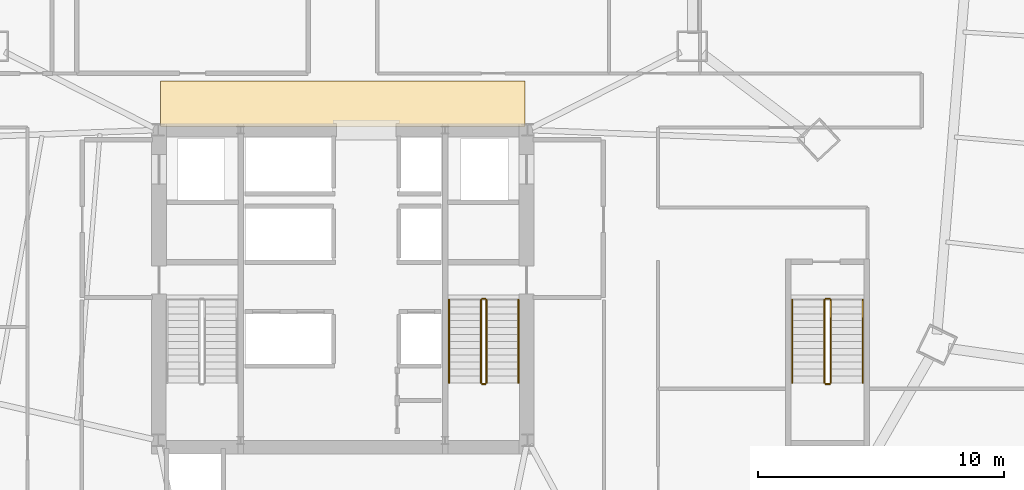
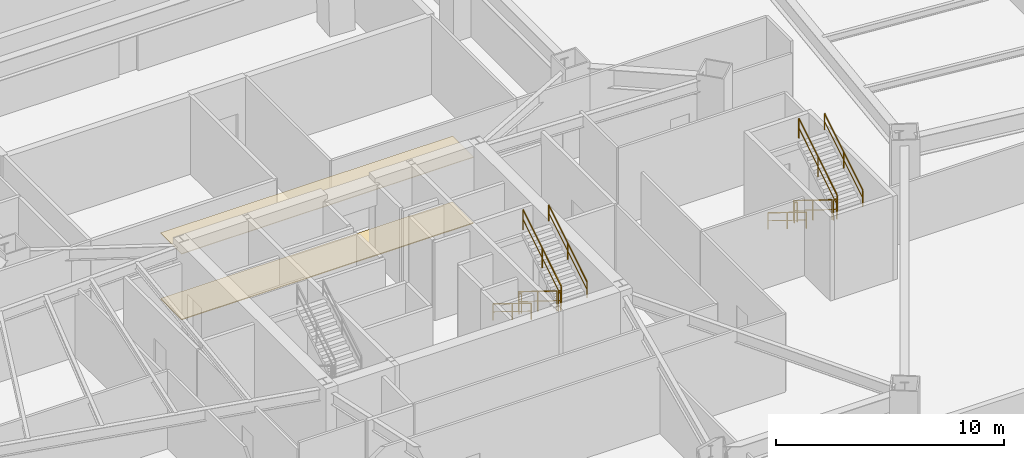
# One storey, part 12 of 13: 12 railings, 2 coverings.
"""IFC4 building model written with IfcOpenShell, lengths in metres."""

import ifcopenshell
import ifcopenshell.guid

model = None  # the IFC model being written
_history = None  # IfcOwnerHistory: only IFC2X3 demands one
_inside = {}  # id of a spatial element -> (the spatial element, [elements in it])
_under = {}  # id of a project, library or spatial element -> (it, [spatial elements below it])
_declared = {}  # id of a project -> (the project, [libraries it declares])
_typed = {}  # id of a type object -> (the type object, [elements of that type])
_made_of = {}  # id of a material, layer set ... -> (it, [elements and type objects made of it])


def new_model(schema):
    """Start an empty IFC model of exactly this schema.

    Asked for "IFC4X3", IfcOpenShell would pick the latest addendum, in which some entities
    have other attributes; the version numbers below select the first issue.
    IFC2X3 requires an IfcOwnerHistory on every rooted entity: one is made here for all.
    """
    global model, _history
    if schema == "IFC4X3":
        model = ifcopenshell.file(schema_version=(4, 3, 0, 0))
    else:
        model = ifcopenshell.file(schema=schema)
    _inside.clear()
    _under.clear()
    _declared.clear()
    _typed.clear()
    _made_of.clear()
    _history = None
    if model.schema == "IFC2X3":
        org = make("IfcOrganization", Name="unknown")
        user = make(
            "IfcPersonAndOrganization",
            ThePerson=make("IfcPerson", FamilyName="unknown"),
            TheOrganization=org,
        )
        app = make(
            "IfcApplication",
            ApplicationDeveloper=org,
            Version="unknown",
            ApplicationFullName="unknown",
            ApplicationIdentifier="unknown",
        )
        _history = make(
            "IfcOwnerHistory",
            OwningUser=user,
            OwningApplication=app,
            ChangeAction="ADDED",
            CreationDate=0,
        )
    return model


def make(cls, **values):
    """One entity of the class cls with the attributes given. An attribute that is None is left unset."""
    return model.create_entity(
        cls, **{name: value for name, value in values.items() if value is not None}
    )


def rooted(cls, **values):
    """An entity with a GlobalId (a new one), such as an element, a storey or a relation."""
    return make(cls, GlobalId=ifcopenshell.guid.new(), OwnerHistory=_history, **values)


def si_unit(unit_type, name, prefix=None):
    """IfcSIUnit, for example si_unit("LENGTHUNIT", "METRE", prefix="MILLI")."""
    return make("IfcSIUnit", UnitType=unit_type, Prefix=prefix, Name=name)


def assignment(units):
    """IfcUnitAssignment: the units of a project."""
    return None if units is None else make("IfcUnitAssignment", Units=units)


def point(xyz):
    """IfcCartesianPoint."""
    return None if xyz is None else make("IfcCartesianPoint", Coordinates=xyz)


def direction(xyz):
    """IfcDirection."""
    return None if xyz is None else make("IfcDirection", DirectionRatios=xyz)


def frame(location, z_axis=None, x_axis=None):
    """IfcAxis2Placement3D, a coordinate frame: its origin and axes. An axis left out is left unset."""
    return make(
        "IfcAxis2Placement3D",
        Location=point(location),
        Axis=direction(z_axis),
        RefDirection=direction(x_axis),
    )


def frame_2d(location, x_axis=None):
    """IfcAxis2Placement2D, a coordinate frame in the plane: its origin and x axis."""
    return make(
        "IfcAxis2Placement2D", Location=point(location), RefDirection=direction(x_axis)
    )


def origin():
    """The frame at (0, 0, 0) with its axes left unset."""
    return frame((0.0, 0.0, 0.0))


def origin_2d():
    """The frame at (0, 0) in the plane with its x axis left unset."""
    return frame_2d((0.0, 0.0))


def place(relative_to, where):
    """IfcLocalPlacement: puts the frame where relative to a parent placement (None: the world)."""
    return make(
        "IfcLocalPlacement", PlacementRelTo=relative_to, RelativePlacement=where
    )


def context(
    kind, dimensions, precision=None, world=None, true_north=None, identifier=None
):
    """IfcGeometricRepresentationContext, for example the 3D "Model" context."""
    return make(
        "IfcGeometricRepresentationContext",
        ContextIdentifier=identifier,
        ContextType=kind,
        CoordinateSpaceDimension=dimensions,
        Precision=precision,
        WorldCoordinateSystem=world,
        TrueNorth=true_north,
    )


def subcontext(parent, identifier, kind, view, scale=None):
    """IfcGeometricRepresentationSubContext, for example "Body" below "Model"."""
    return make(
        "IfcGeometricRepresentationSubContext",
        ContextIdentifier=identifier,
        ContextType=kind,
        ParentContext=parent,
        TargetScale=scale,
        TargetView=view,
    )


def project(units=None, contexts=None):
    """IfcProject with its units and contexts."""
    return rooted(
        "IfcProject",
        Name="project",
        RepresentationContexts=contexts,
        UnitsInContext=assignment(units),
    )


def spatial(cls, under=None, at=None, **own):
    """A site, building, storey or space (cls), placed at a placement, below another one or the project."""
    s = rooted(cls, ObjectPlacement=at, **own)
    if under is not None:
        _under.setdefault(under.id(), (under, []))[1].append(s)
    return s


def polyline(points):
    """IfcPolyline through the points."""
    return make("IfcPolyline", Points=[point(p) for p in points])


def profile(cls, at=None, kind="AREA", **sizes):
    """A parametric profile (cls). Its sizes go by their IFC names, for example OverallWidth=200.0."""
    return make(cls, ProfileType=kind, Position=at, **sizes)


def rectangle(**sizes):
    """IfcRectangleProfileDef."""
    return profile("IfcRectangleProfileDef", **sizes)


def outline(outer, holes=None, kind="AREA"):
    """IfcArbitraryClosedProfileDef: a profile drawn as a closed curve; with holes, ...WithVoids."""
    if holes is None:
        return make("IfcArbitraryClosedProfileDef", ProfileType=kind, OuterCurve=outer)
    return make(
        "IfcArbitraryProfileDefWithVoids",
        ProfileType=kind,
        OuterCurve=outer,
        InnerCurves=holes,
    )


def extrude(swept, where, along, depth):
    """IfcExtrudedAreaSolid: the profile swept, set in the frame where, extruded along a direction by depth."""
    return make(
        "IfcExtrudedAreaSolid",
        SweptArea=swept,
        Position=where,
        ExtrudedDirection=direction(along),
        Depth=depth,
    )


def shape(context_of_items, identifier, shape_type, items):
    """IfcShapeRepresentation: the items that make up one representation, for example the "Body"."""
    return make(
        "IfcShapeRepresentation",
        ContextOfItems=context_of_items,
        RepresentationIdentifier=identifier,
        RepresentationType=shape_type,
        Items=items,
    )


def material(Name=None, Category=None):
    """IfcMaterial."""
    return make("IfcMaterial", Name=Name, Category=Category)


def layer(
    of_material, thickness, ventilated=None, Name=None, Category=None, Priority=None
):
    """IfcMaterialLayer: one layer of a wall or slab, of a material (None: an air gap)."""
    return make(
        "IfcMaterialLayer",
        Material=of_material,
        LayerThickness=thickness,
        IsVentilated=ventilated,
        Name=Name,
        Category=Category,
        Priority=Priority,
    )


def layer_set(layers, Name=None):
    """IfcMaterialLayerSet."""
    return make("IfcMaterialLayerSet", MaterialLayers=layers, LayerSetName=Name)


def made_of(thing, what):
    """Note that an element or type object is made of a material, layer set ...; save() writes the relation."""
    if what is not None:
        _made_of.setdefault(what.id(), (what, []))[1].append(thing)
    return thing


def type_object(cls, material=None, **own):
    """A type object (cls), such as IfcWallType, which elements share."""
    return made_of(rooted(cls, **own), material)


def element(
    cls,
    number,
    at=None,
    inside=None,
    cuts=None,
    type_object=None,
    material=None,
    context=None,
    identifier="Body",
    shape_type=None,
    held_by="IfcProductDefinitionShape",
    body=None,
    shapes=None,
    **own,
):
    """One element of the class cls, such as IfcWall. Its Tag is "e" and its number.

    at: its placement. inside: the storey or other place that contains it. cuts: it is an
    opening in that element (IfcRelVoidsElement). A single representation is given by context,
    identifier, shape_type and body (its items); several are given by shapes. held_by: the class
    of the entity that holds the representations. save() writes the other relations.
    """
    e = rooted(cls, Tag="e%d" % number, ObjectPlacement=at, **own)
    if body is not None:
        shapes = [shape(context, identifier, shape_type, body)]
    if shapes is not None:
        e.Representation = make(held_by, Representations=shapes)
    if inside is not None:
        _inside.setdefault(inside.id(), (inside, []))[1].append(e)
    if cuts is not None:
        rooted(
            "IfcRelVoidsElement", RelatingBuildingElement=cuts, RelatedOpeningElement=e
        )
    if type_object is not None:
        _typed.setdefault(type_object.id(), (type_object, []))[1].append(e)
    return made_of(e, material)


def aggregate(whole, parts):
    """IfcRelAggregates: a whole, such as a stair, and the parts it consists of."""
    return rooted("IfcRelAggregates", RelatingObject=whole, RelatedObjects=parts)


def save(model, path):
    """Write the relations noted so far, then the file.

    IfcRelAggregates (storeys below a building ...), IfcRelContainedInSpatialStructure (elements
    in a storey), IfcRelDefinesByType, IfcRelAssociatesMaterial and IfcRelDeclares: one each for
    every whole, place, type object, material and project.
    """
    for whole, parts in _under.values():
        aggregate(whole, parts)
    for where, things in _inside.values():
        rooted(
            "IfcRelContainedInSpatialStructure",
            RelatedElements=things,
            RelatingStructure=where,
        )
    for kind, things in _typed.values():
        rooted("IfcRelDefinesByType", RelatedObjects=things, RelatingType=kind)
    for what, things in _made_of.values():
        rooted("IfcRelAssociatesMaterial", RelatedObjects=things, RelatingMaterial=what)
    for by, libraries in _declared.values():
        rooted("IfcRelDeclares", RelatingContext=by, RelatedDefinitions=libraries)
    model.write(path)


model = new_model("IFC4")

# Units and contexts
model_context = context("Model", 3, precision=1e-05, world=origin(), true_north=direction((0.0, 1.0)))
body_context = subcontext(model_context, "Body", "Model", "MODEL_VIEW")
ifc_project = project(units=[si_unit("LENGTHUNIT", "METRE"), si_unit("AREAUNIT", "SQUARE_METRE"), si_unit("VOLUMEUNIT", "CUBIC_METRE"), si_unit("PLANEANGLEUNIT", "RADIAN"), si_unit("MASSUNIT", "GRAM", prefix="KILO")], contexts=[model_context])

# Site, building, storey
site_placement = place(None, origin())
site = spatial("IfcSite", under=ifc_project, at=site_placement, CompositionType="ELEMENT")
building_placement = place(site_placement, origin())
building = spatial("IfcBuilding", under=site, at=building_placement, Name="Caelisora Broadcast Tower", CompositionType="ELEMENT")
storey_placement = place(building_placement, frame((0.0, 0.0, 10.199951171875)))
storey = spatial("IfcBuildingStorey", under=building, at=storey_placement, Name="L02", CompositionType="ELEMENT", Elevation=10.199951171875)

# Coverings
ifc_material_1 = material(Name="Perforated Mineral-Fibre Acoustic Ceiling Tile", Category="gypsum")
ifc_layer_1 = layer(ifc_material_1, 0.034912109375, Name="Perforated Mineral-Fibre Acoustic Ceiling Tile")
ifc_layer_set_1 = layer_set([ifc_layer_1], Name="Perforated Mineral-Fibre Acoustic Ceiling Tile")
covering_type_1 = type_object("IfcCoveringType", Name="CE-1", PredefinedType="CEILING", material=ifc_layer_set_1)
covering_1_placement = place(storey_placement, frame((0.0, 0.0, 3.530029296875)))
element("IfcCovering", 1, at=covering_1_placement, inside=storey, type_object=covering_type_1, Name="L02 acoustic corridor ceiling CE-1 (N)", PredefinedType="CEILING", context=body_context, shape_type="SweptSolid", body=[
    extrude(outline(polyline([(30.60009765625, 30.14990234375), (45.39990234375, 30.14990234375), (45.39990234375, 32.0), (30.60009765625, 32.0), (30.60009765625, 30.14990234375)])), origin(), (0.0, 0.0, 1.0), 0.034912109375),
])
ifc_material_2 = material(Name="Anti-Static Broadcast Raised Access Floor Panel", Category="steel")
ifc_layer_2 = layer(ifc_material_2, 0.044921875, Name="Anti-Static Broadcast Raised Access Floor Panel")
ifc_layer_set_2 = layer_set([ifc_layer_2], Name="Anti-Static Broadcast Raised Access Floor Panel")
covering_type_2 = type_object("IfcCoveringType", Name="FL-1", PredefinedType="FLOORING", material=ifc_layer_set_2)
covering_2_placement = place(storey_placement, origin())
element("IfcCovering", 2, at=covering_2_placement, inside=storey, type_object=covering_type_2, Name="L02 broadcast raised access floor FL-1 (N)", PredefinedType="FLOORING", context=body_context, shape_type="SweptSolid", body=[
    extrude(outline(polyline([(30.60009765625, 30.14990234375), (45.39990234375, 30.14990234375), (45.39990234375, 32.0), (30.60009765625, 32.0), (30.60009765625, 30.14990234375)])), origin(), (0.0, 0.0, 1.0), 0.045166015625),
])

# Railings
ifc_material_3 = material(Name="Galvanised Steel Safety Guardrail", Category="steel")
ifc_layer_3 = layer(ifc_material_3, 0.048095703125, Name="Galvanised Steel Safety Guardrail")
ifc_layer_set_3 = layer_set([ifc_layer_3], Name="Galvanised Steel Safety Guardrail")
railing_type_1 = type_object("IfcRailingType", Name="GR-1", PredefinedType="GUARDRAIL", material=ifc_layer_set_3)
railing_1_placement = place(storey_placement, frame((43.610107421875, 23.10009765625, 0.173095703125)))
element("IfcRailing", 3, at=railing_1_placement, inside=storey, type_object=railing_type_1, Name="L02 ST-2 stair guard 1", PredefinedType="GUARDRAIL", context=body_context, shape_type="SweptSolid", body=[
    extrude(rectangle(XDim=0.048095703125, YDim=0.048095703125, at=origin_2d()), frame((0.0, 0.0, 1.076171875), z_axis=(0.0, -0.850623216509, 0.525775754039), x_axis=(1.0, 0.0, 0.0)), (0.0, 0.0, 1.0), 3.9501953125),
    extrude(rectangle(XDim=0.03125, YDim=0.03125, at=origin_2d()), frame((0.0, 0.0, 0.550048828125), z_axis=(0.0, -0.850623216509, 0.525775754039), x_axis=(1.0, 0.0, 0.0)), (0.0, 0.0, 1.0), 3.9501953125),
    extrude(rectangle(XDim=0.0419921875, YDim=0.0419921875, at=origin_2d()), origin(), (0.0, 0.0, 1.0), 1.052001953125),
    extrude(rectangle(XDim=0.0419921875, YDim=0.0419921875, at=origin_2d()), frame((0.0, -1.68017578125, 1.03857421875)), (0.0, 0.0, 1.0), 1.052001953125),
    extrude(rectangle(XDim=0.0419921875, YDim=0.0419921875, at=origin_2d()), frame((0.0, -3.360107421875, 2.076904296875)), (0.0, 0.0, 1.0), 1.052001953125),
])
railing_2_placement = place(storey_placement, frame((43.659912109375, 19.68994140625, 2.25)))
element("IfcRailing", 4, at=railing_2_placement, inside=storey, type_object=railing_type_1, Name="L02 ST-2 stair guard 2", PredefinedType="GUARDRAIL", context=body_context, shape_type="SweptSolid", body=[
    extrude(rectangle(XDim=0.048095703125, YDim=0.048095703125, at=origin_2d()), frame((0.0, 0.0, 1.076171875), z_axis=(1.0, 0.0, 0.0), x_axis=(0.0, 1.0, 0.0)), (0.0, 0.0, 1.0), 0.1201171875),
    extrude(rectangle(XDim=0.03125, YDim=0.03125, at=origin_2d()), frame((0.0, 0.0, 0.550048828125), z_axis=(1.0, 0.0, 0.0), x_axis=(0.0, 1.0, 0.0)), (0.0, 0.0, 1.0), 0.1201171875),
    extrude(rectangle(XDim=0.0419921875, YDim=0.0419921875, at=origin_2d()), origin(), (0.0, 0.0, 1.0), 1.052001953125),
    extrude(rectangle(XDim=0.0419921875, YDim=0.0419921875, at=origin_2d()), frame((0.1201171875, 0.0, 0.0)), (0.0, 0.0, 1.0), 1.052001953125),
])
railing_3_placement = place(storey_placement, frame((43.830078125, 19.739990234375, 2.423095703125)))
element("IfcRailing", 5, at=railing_3_placement, inside=storey, type_object=railing_type_1, Name="L02 ST-2 stair guard 3", PredefinedType="GUARDRAIL", context=body_context, shape_type="SweptSolid", body=[
    extrude(rectangle(XDim=0.048095703125, YDim=0.048095703125, at=origin_2d()), frame((0.0, 0.0, 1.076171875), z_axis=(0.0, 0.850623216509, 0.525775754039), x_axis=(-1.0, 0.0, 0.0)), (0.0, 0.0, 1.0), 3.9501953125),
    extrude(rectangle(XDim=0.03125, YDim=0.03125, at=origin_2d()), frame((0.0, 0.0, 0.550048828125), z_axis=(0.0, 0.850623216509, 0.525775754039), x_axis=(-1.0, 0.0, 0.0)), (0.0, 0.0, 1.0), 3.9501953125),
    extrude(rectangle(XDim=0.0419921875, YDim=0.0419921875, at=origin_2d()), origin(), (0.0, 0.0, 1.0), 1.052001953125),
    extrude(rectangle(XDim=0.0419921875, YDim=0.0419921875, at=origin_2d()), frame((0.0, 1.68017578125, 1.03857421875)), (0.0, 0.0, 1.0), 1.052001953125),
    extrude(rectangle(XDim=0.0419921875, YDim=0.0419921875, at=origin_2d()), frame((0.0, 3.360107421875, 2.076904296875)), (0.0, 0.0, 1.0), 1.052001953125),
])
railing_4_placement = place(storey_placement, frame((43.659912109375, 23.14990234375, 0.0)))
element("IfcRailing", 6, at=railing_4_placement, inside=storey, type_object=railing_type_1, Name="L02 ST-2 stair guard 4", PredefinedType="GUARDRAIL", context=body_context, shape_type="SweptSolid", body=[
    extrude(rectangle(XDim=0.048095703125, YDim=0.048095703125, at=origin_2d()), frame((0.0, 0.0, 1.076171875), z_axis=(1.0, 0.0, 0.0), x_axis=(0.0, 1.0, 0.0)), (0.0, 0.0, 1.0), 0.1201171875),
    extrude(rectangle(XDim=0.03125, YDim=0.03125, at=origin_2d()), frame((0.0, 0.0, 0.550048828125), z_axis=(1.0, 0.0, 0.0), x_axis=(0.0, 1.0, 0.0)), (0.0, 0.0, 1.0), 0.1201171875),
    extrude(rectangle(XDim=0.0419921875, YDim=0.0419921875, at=origin_2d()), origin(), (0.0, 0.0, 1.0), 1.052001953125),
    extrude(rectangle(XDim=0.0419921875, YDim=0.0419921875, at=origin_2d()), frame((0.1201171875, 0.0, 0.0)), (0.0, 0.0, 1.0), 1.052001953125),
])
railing_5_placement = place(storey_placement, frame((57.550048828125, 23.10009765625, 0.173095703125)))
element("IfcRailing", 7, at=railing_5_placement, inside=storey, type_object=railing_type_1, Name="L02 ST-3 stair guard 1", PredefinedType="GUARDRAIL", context=body_context, shape_type="SweptSolid", body=[
    extrude(rectangle(XDim=0.048095703125, YDim=0.048095703125, at=origin_2d()), frame((0.0, 0.0, 1.076171875), z_axis=(0.0, -0.850623216509, 0.525775754039), x_axis=(1.0, 0.0, 0.0)), (0.0, 0.0, 1.0), 3.9501953125),
    extrude(rectangle(XDim=0.03125, YDim=0.03125, at=origin_2d()), frame((0.0, 0.0, 0.550048828125), z_axis=(0.0, -0.850623216509, 0.525775754039), x_axis=(1.0, 0.0, 0.0)), (0.0, 0.0, 1.0), 3.9501953125),
    extrude(rectangle(XDim=0.0419921875, YDim=0.0419921875, at=origin_2d()), origin(), (0.0, 0.0, 1.0), 1.052001953125),
    extrude(rectangle(XDim=0.0419921875, YDim=0.0419921875, at=origin_2d()), frame((0.0, -1.68017578125, 1.03857421875)), (0.0, 0.0, 1.0), 1.052001953125),
    extrude(rectangle(XDim=0.0419921875, YDim=0.0419921875, at=origin_2d()), frame((0.0, -3.360107421875, 2.076904296875)), (0.0, 0.0, 1.0), 1.052001953125),
])
railing_6_placement = place(storey_placement, frame((57.60009765625, 19.68994140625, 2.25)))
element("IfcRailing", 8, at=railing_6_placement, inside=storey, type_object=railing_type_1, Name="L02 ST-3 stair guard 2", PredefinedType="GUARDRAIL", context=body_context, shape_type="SweptSolid", body=[
    extrude(rectangle(XDim=0.048095703125, YDim=0.048095703125, at=origin_2d()), frame((0.0, 0.0, 1.076171875), z_axis=(1.0, 0.0, 0.0), x_axis=(0.0, 1.0, 0.0)), (0.0, 0.0, 1.0), 0.159912109375),
    extrude(rectangle(XDim=0.03125, YDim=0.03125, at=origin_2d()), frame((0.0, 0.0, 0.550048828125), z_axis=(1.0, 0.0, 0.0), x_axis=(0.0, 1.0, 0.0)), (0.0, 0.0, 1.0), 0.159912109375),
    extrude(rectangle(XDim=0.0419921875, YDim=0.0419921875, at=origin_2d()), origin(), (0.0, 0.0, 1.0), 1.052001953125),
    extrude(rectangle(XDim=0.0419921875, YDim=0.0419921875, at=origin_2d()), frame((0.159912109375, 0.0, 0.0)), (0.0, 0.0, 1.0), 1.052001953125),
])
railing_7_placement = place(storey_placement, frame((57.81005859375, 19.739990234375, 2.423095703125)))
element("IfcRailing", 9, at=railing_7_placement, inside=storey, type_object=railing_type_1, Name="L02 ST-3 stair guard 3", PredefinedType="GUARDRAIL", context=body_context, shape_type="SweptSolid", body=[
    extrude(rectangle(XDim=0.048095703125, YDim=0.048095703125, at=origin_2d()), frame((0.0, 0.0, 1.076171875), z_axis=(0.0, 0.850623216509, 0.525775754039), x_axis=(-1.0, 0.0, 0.0)), (0.0, 0.0, 1.0), 3.9501953125),
    extrude(rectangle(XDim=0.03125, YDim=0.03125, at=origin_2d()), frame((0.0, 0.0, 0.550048828125), z_axis=(0.0, 0.850623216509, 0.525775754039), x_axis=(-1.0, 0.0, 0.0)), (0.0, 0.0, 1.0), 3.9501953125),
    extrude(rectangle(XDim=0.0419921875, YDim=0.0419921875, at=origin_2d()), origin(), (0.0, 0.0, 1.0), 1.052001953125),
    extrude(rectangle(XDim=0.0419921875, YDim=0.0419921875, at=origin_2d()), frame((0.0, 1.68017578125, 1.03857421875)), (0.0, 0.0, 1.0), 1.052001953125),
    extrude(rectangle(XDim=0.0419921875, YDim=0.0419921875, at=origin_2d()), frame((0.0, 3.360107421875, 2.076904296875)), (0.0, 0.0, 1.0), 1.052001953125),
])
railing_8_placement = place(storey_placement, frame((57.60009765625, 23.14990234375, 0.0)))
element("IfcRailing", 10, at=railing_8_placement, inside=storey, type_object=railing_type_1, Name="L02 ST-3 stair guard 4", PredefinedType="GUARDRAIL", context=body_context, shape_type="SweptSolid", body=[
    extrude(rectangle(XDim=0.048095703125, YDim=0.048095703125, at=origin_2d()), frame((0.0, 0.0, 1.076171875), z_axis=(1.0, 0.0, 0.0), x_axis=(0.0, 1.0, 0.0)), (0.0, 0.0, 1.0), 0.159912109375),
    extrude(rectangle(XDim=0.03125, YDim=0.03125, at=origin_2d()), frame((0.0, 0.0, 0.550048828125), z_axis=(1.0, 0.0, 0.0), x_axis=(0.0, 1.0, 0.0)), (0.0, 0.0, 1.0), 0.159912109375),
    extrude(rectangle(XDim=0.0419921875, YDim=0.0419921875, at=origin_2d()), origin(), (0.0, 0.0, 1.0), 1.052001953125),
    extrude(rectangle(XDim=0.0419921875, YDim=0.0419921875, at=origin_2d()), frame((0.159912109375, 0.0, 0.0)), (0.0, 0.0, 1.0), 1.052001953125),
])
ifc_material_4 = material(Name="Stainless Steel Grade 316 Tubular Handrail", Category="steel")
ifc_layer_4 = layer(ifc_material_4, 0.048095703125, Name="Stainless Steel Grade 316 Tubular Handrail")
ifc_layer_set_4 = layer_set([ifc_layer_4], Name="Stainless Steel Grade 316 Tubular Handrail")
railing_type_2 = type_object("IfcRailingType", Name="HR-1", PredefinedType="HANDRAIL", material=ifc_layer_set_4)
railing_9_placement = place(storey_placement, frame((42.31005859375, 23.10009765625, 0.173095703125)))
element("IfcRailing", 11, at=railing_9_placement, inside=storey, type_object=railing_type_2, Name="L02 ST-2 stair handrail 1", PredefinedType="HANDRAIL", context=body_context, shape_type="SweptSolid", body=[
    extrude(rectangle(XDim=0.048095703125, YDim=0.048095703125, at=origin_2d()), frame((0.0, 0.0, 0.8759765625), z_axis=(0.0, -0.850623216509, 0.525775754039), x_axis=(1.0, 0.0, 0.0)), (0.0, 0.0, 1.0), 3.9501953125),
    extrude(rectangle(XDim=0.03125, YDim=0.03125, at=origin_2d()), frame((0.0, 0.0, 0.449951171875), z_axis=(0.0, -0.850623216509, 0.525775754039), x_axis=(1.0, 0.0, 0.0)), (0.0, 0.0, 1.0), 3.9501953125),
    extrude(rectangle(XDim=0.0419921875, YDim=0.0419921875, at=origin_2d()), origin(), (0.0, 0.0, 1.0), 0.851806640625),
    extrude(rectangle(XDim=0.0419921875, YDim=0.0419921875, at=origin_2d()), frame((0.0, -1.68017578125, 1.03857421875)), (0.0, 0.0, 1.0), 0.851806640625),
    extrude(rectangle(XDim=0.0419921875, YDim=0.0419921875, at=origin_2d()), frame((0.0, -3.360107421875, 2.076904296875)), (0.0, 0.0, 1.0), 0.851806640625),
])
railing_10_placement = place(storey_placement, frame((45.1298828125, 19.739990234375, 2.423095703125)))
element("IfcRailing", 12, at=railing_10_placement, inside=storey, type_object=railing_type_2, Name="L02 ST-2 stair handrail 2", PredefinedType="HANDRAIL", context=body_context, shape_type="SweptSolid", body=[
    extrude(rectangle(XDim=0.048095703125, YDim=0.048095703125, at=origin_2d()), frame((0.0, 0.0, 0.8759765625), z_axis=(0.0, 0.850623216509, 0.525775754039), x_axis=(-1.0, 0.0, 0.0)), (0.0, 0.0, 1.0), 3.9501953125),
    extrude(rectangle(XDim=0.03125, YDim=0.03125, at=origin_2d()), frame((0.0, 0.0, 0.449951171875), z_axis=(0.0, 0.850623216509, 0.525775754039), x_axis=(-1.0, 0.0, 0.0)), (0.0, 0.0, 1.0), 3.9501953125),
    extrude(rectangle(XDim=0.0419921875, YDim=0.0419921875, at=origin_2d()), origin(), (0.0, 0.0, 1.0), 0.851806640625),
    extrude(rectangle(XDim=0.0419921875, YDim=0.0419921875, at=origin_2d()), frame((0.0, 1.68017578125, 1.03857421875)), (0.0, 0.0, 1.0), 0.851806640625),
    extrude(rectangle(XDim=0.0419921875, YDim=0.0419921875, at=origin_2d()), frame((0.0, 3.360107421875, 2.076904296875)), (0.0, 0.0, 1.0), 0.851806640625),
])
railing_11_placement = place(storey_placement, frame((56.25, 23.10009765625, 0.173095703125)))
element("IfcRailing", 13, at=railing_11_placement, inside=storey, type_object=railing_type_2, Name="L02 ST-3 stair handrail 1", PredefinedType="HANDRAIL", context=body_context, shape_type="SweptSolid", body=[
    extrude(rectangle(XDim=0.048095703125, YDim=0.048095703125, at=origin_2d()), frame((0.0, 0.0, 0.8759765625), z_axis=(0.0, -0.850623216509, 0.525775754039), x_axis=(1.0, 0.0, 0.0)), (0.0, 0.0, 1.0), 3.9501953125),
    extrude(rectangle(XDim=0.03125, YDim=0.03125, at=origin_2d()), frame((0.0, 0.0, 0.449951171875), z_axis=(0.0, -0.850623216509, 0.525775754039), x_axis=(1.0, 0.0, 0.0)), (0.0, 0.0, 1.0), 3.9501953125),
    extrude(rectangle(XDim=0.0419921875, YDim=0.0419921875, at=origin_2d()), origin(), (0.0, 0.0, 1.0), 0.851806640625),
    extrude(rectangle(XDim=0.0419921875, YDim=0.0419921875, at=origin_2d()), frame((0.0, -1.68017578125, 1.03857421875)), (0.0, 0.0, 1.0), 0.851806640625),
    extrude(rectangle(XDim=0.0419921875, YDim=0.0419921875, at=origin_2d()), frame((0.0, -3.360107421875, 2.076904296875)), (0.0, 0.0, 1.0), 0.851806640625),
])
railing_12_placement = place(storey_placement, frame((59.110107421875, 19.739990234375, 2.423095703125)))
element("IfcRailing", 14, at=railing_12_placement, inside=storey, type_object=railing_type_2, Name="L02 ST-3 stair handrail 2", PredefinedType="HANDRAIL", context=body_context, shape_type="SweptSolid", body=[
    extrude(rectangle(XDim=0.048095703125, YDim=0.048095703125, at=origin_2d()), frame((0.0, 0.0, 0.8759765625), z_axis=(0.0, 0.850623216509, 0.525775754039), x_axis=(-1.0, 0.0, 0.0)), (0.0, 0.0, 1.0), 3.9501953125),
    extrude(rectangle(XDim=0.03125, YDim=0.03125, at=origin_2d()), frame((0.0, 0.0, 0.449951171875), z_axis=(0.0, 0.850623216509, 0.525775754039), x_axis=(-1.0, 0.0, 0.0)), (0.0, 0.0, 1.0), 3.9501953125),
    extrude(rectangle(XDim=0.0419921875, YDim=0.0419921875, at=origin_2d()), origin(), (0.0, 0.0, 1.0), 0.851806640625),
    extrude(rectangle(XDim=0.0419921875, YDim=0.0419921875, at=origin_2d()), frame((0.0, 1.68017578125, 1.03857421875)), (0.0, 0.0, 1.0), 0.851806640625),
    extrude(rectangle(XDim=0.0419921875, YDim=0.0419921875, at=origin_2d()), frame((0.0, 3.360107421875, 2.076904296875)), (0.0, 0.0, 1.0), 0.851806640625),
])

save(model, "model.ifc")
